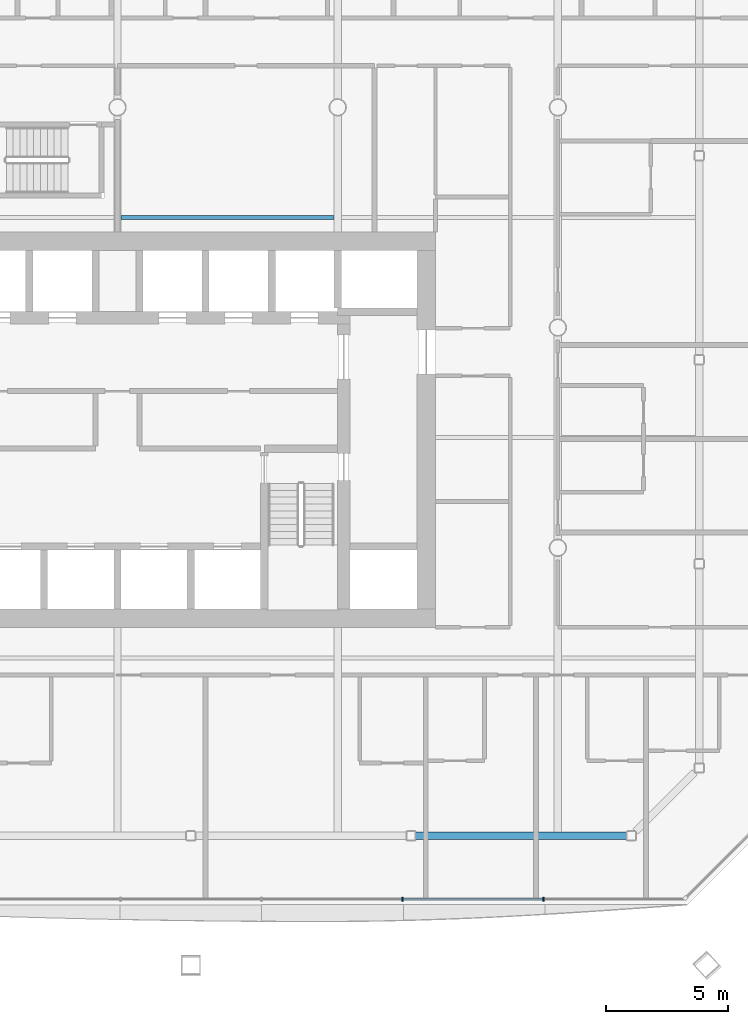
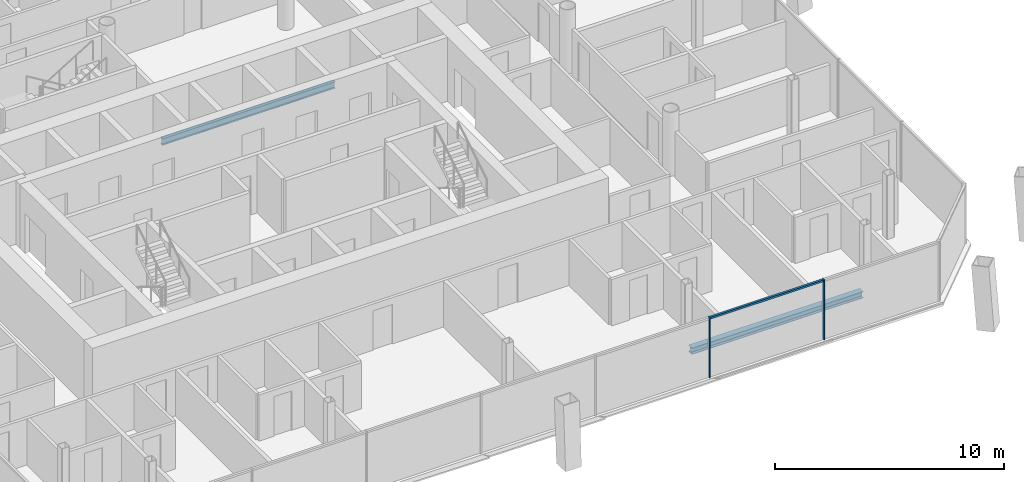
# One storey, part 6 of 21: 3 members, 2 beams, 1 element without a shape of its own.
"""IFC4 building model written with IfcOpenShell, lengths in metres."""

from ifc_helpers import new_model, si_unit, direction, frame, origin, origin_2d, place, context, subcontext, project, spatial, rectangle, i_section, extrude, material, material_profile, profile_set, type_object, element, aggregate, save


model = new_model("IFC4")

# Units and contexts
model_context = context("Model", 3, precision=1e-05, world=origin(), true_north=direction((0.0, 1.0)))
body_context = subcontext(model_context, "Body", "Model", "MODEL_VIEW")
ifc_project = project(units=[si_unit("LENGTHUNIT", "METRE"), si_unit("AREAUNIT", "SQUARE_METRE"), si_unit("VOLUMEUNIT", "CUBIC_METRE"), si_unit("PLANEANGLEUNIT", "RADIAN"), si_unit("MASSUNIT", "GRAM", prefix="KILO")], contexts=[model_context])

# Site, building, storey
site_placement = place(None, origin())
site = spatial("IfcSite", under=ifc_project, at=site_placement, CompositionType="ELEMENT")
building_placement = place(site_placement, origin())
building = spatial("IfcBuilding", under=site, at=building_placement, Name="Tskaro Facet Tower", CompositionType="ELEMENT")
storey_placement = place(building_placement, frame((0.0, 0.0, 128.300048828125)))
storey = spatial("IfcBuildingStorey", under=building, at=storey_placement, Name="L30", CompositionType="ELEMENT", Elevation=128.300048828125)

# Curtain wall, members
ifc_material_1 = material(Name="Bronze anodised aluminium 6063-T6", Category="aluminium")
curtain_wall_type = type_object("IfcCurtainWallType", Name="Bronze hotel curtain wall (FW2)", PredefinedType="NOTDEFINED", material=ifc_material_1)
curtain_wall_placement = place(storey_placement, origin())
curtain_wall = element("IfcCurtainWall", 1, at=curtain_wall_placement, inside=storey, type_object=curtain_wall_type, Name="FW2 south facet L30", PredefinedType="NOTDEFINED")
ifc_material_profile_1 = material_profile(ifc_material_1, rectangle(XDim=0.06005859375, YDim=0.14990234375, at=origin_2d()), Name="Mullion 60x150")
ifc_profile_set_1 = profile_set([ifc_material_profile_1], Name="Bronze anodised aluminium 6063-T6")
member_type_1 = type_object("IfcMemberType", Name="FW2 bronze mullion 60x150", PredefinedType="MULLION", material=ifc_profile_set_1)
member_1_placement = place(storey_placement, frame((11.642578125, -23.366943359375, 0.0), z_axis=(0.0, 0.0, 1.0), x_axis=(1.0, 0.0, 0.0)))
member_1 = element("IfcMember", 2, at=member_1_placement, type_object=member_type_1, Name="FW2 south mullion 5", PredefinedType="MULLION", context=body_context, shape_type="SweptSolid", body=[
    extrude(rectangle(XDim=0.06005859375, YDim=0.14990234375, at=origin_2d()), origin(), (0.0, 0.0, 1.0), 3.199951171875),
])
member_2_placement = place(storey_placement, frame((17.404296875, -23.366943359375, 0.0), z_axis=(0.0, 0.0, 1.0), x_axis=(1.0, 0.0, 0.0)))
member_2 = element("IfcMember", 3, at=member_2_placement, type_object=member_type_1, Name="FW2 south mullion 6", PredefinedType="MULLION", context=body_context, shape_type="SweptSolid", body=[
    extrude(rectangle(XDim=0.06005859375, YDim=0.14990234375, at=origin_2d()), origin(), (0.0, 0.0, 1.0), 3.199951171875),
])
ifc_material_profile_2 = material_profile(ifc_material_1, rectangle(XDim=0.110107421875, YDim=0.10009765625, at=origin_2d()), Name="Transom 110x100")
ifc_profile_set_2 = profile_set([ifc_material_profile_2], Name="Bronze anodised aluminium 6063-T6")
member_type_2 = type_object("IfcMemberType", Name="FW2 bronze transom 110x100", PredefinedType="USERDEFINED", material=ifc_profile_set_2)
member_3_placement = place(storey_placement, frame((11.672607421875, -23.366943359375, 3.14990234375), z_axis=(1.0, 0.0, 0.0), x_axis=(0.0, 1.0, 0.0)))
member_3 = element("IfcMember", 4, at=member_3_placement, type_object=member_type_2, Name="FW2 south transom 6.1", ObjectType="TRANSOM", PredefinedType="USERDEFINED", context=body_context, shape_type="SweptSolid", body=[
    extrude(rectangle(XDim=0.110107421875, YDim=0.10009765625, at=origin_2d()), origin(), (0.0, 0.0, 1.0), 5.70166015625),
])
aggregate(curtain_wall, [member_1, member_2, member_3])

# Beams
ifc_material_2 = material(Name="Steel S355J2", Category="steel")
ifc_material_profile_3 = material_profile(ifc_material_2, i_section(OverallWidth=0.300048828125, OverallDepth=0.340087890625, WebThickness=0.011962890625, FlangeThickness=0.021484375, FilletRadius=0.027099609375, at=origin_2d()), Name="HE 340 B")
ifc_profile_set_3 = profile_set([ifc_material_profile_3], Name="Steel S355J2")
beam_type_1 = type_object("IfcBeamType", Name="HE 340 B ring beam", PredefinedType="BEAM", material=ifc_profile_set_3)
beam_1_placement = place(storey_placement, frame((12.179931640625, -20.77392578125, -0.31005859375), z_axis=(1.0, 0.0, 0.0), x_axis=(0.0, 1.0, 0.0)))
element("IfcBeam", 5, at=beam_1_placement, inside=storey, type_object=beam_type_1, Name="HE 340 B EB4-3", PredefinedType="BEAM", context=body_context, shape_type="SweptSolid", body=[
    extrude(i_section(OverallWidth=0.300048828125, OverallDepth=0.340087890625, WebThickness=0.011962890625, FlangeThickness=0.021484375, FilletRadius=0.027099609375, at=origin_2d()), origin(), (0.0, 0.0, 1.0), 8.63916015625),
])
ifc_material_profile_4 = material_profile(ifc_material_2, i_section(OverallWidth=0.169921875, OverallDepth=0.360107421875, WebThickness=0.008056640625, FlangeThickness=0.0126953125, FilletRadius=0.01806640625, at=origin_2d()), Name="IPE 360")
ifc_profile_set_4 = profile_set([ifc_material_profile_4], Name="Steel S355J2")
beam_type_2 = type_object("IfcBeamType", Name="IPE 360 secondary beam", PredefinedType="BEAM", material=ifc_profile_set_4)
beam_2_placement = place(storey_placement, frame((0.14990234375, 4.5, -0.320068359375), z_axis=(1.0, 0.0, 0.0), x_axis=(0.0, 1.0, 0.0)))
element("IfcBeam", 6, at=beam_2_placement, inside=storey, type_object=beam_type_2, Name="IPE 360 SB4a-3-3", PredefinedType="BEAM", context=body_context, shape_type="SweptSolid", body=[
    extrude(i_section(OverallWidth=0.169921875, OverallDepth=0.360107421875, WebThickness=0.008056640625, FlangeThickness=0.0126953125, FilletRadius=0.01806640625, at=origin_2d()), origin(), (0.0, 0.0, 1.0), 8.7001953125),
])

save(model, "model.ifc")
